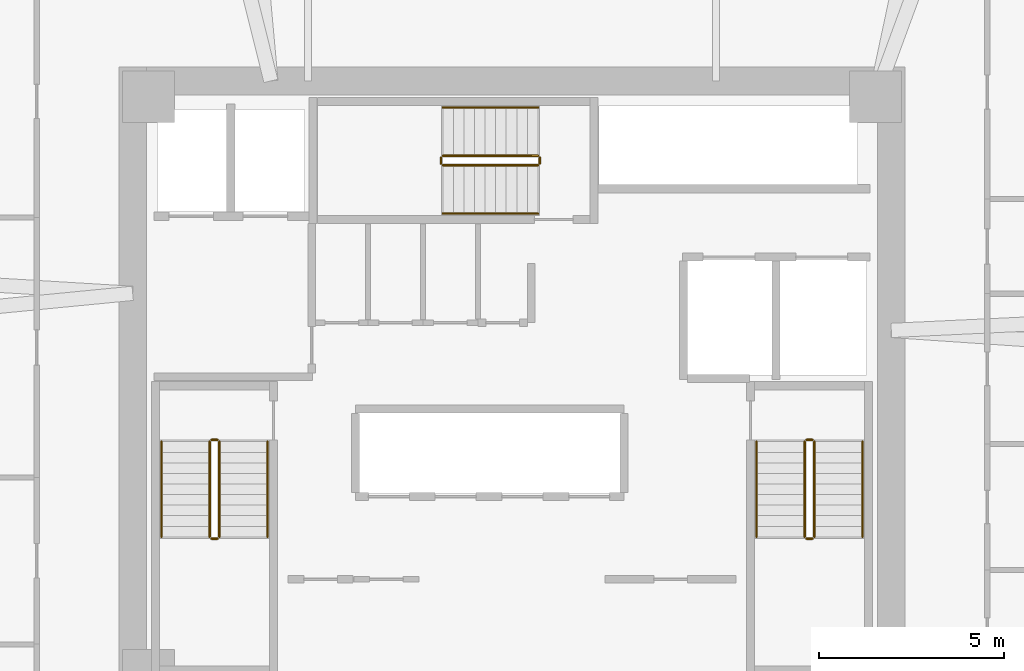
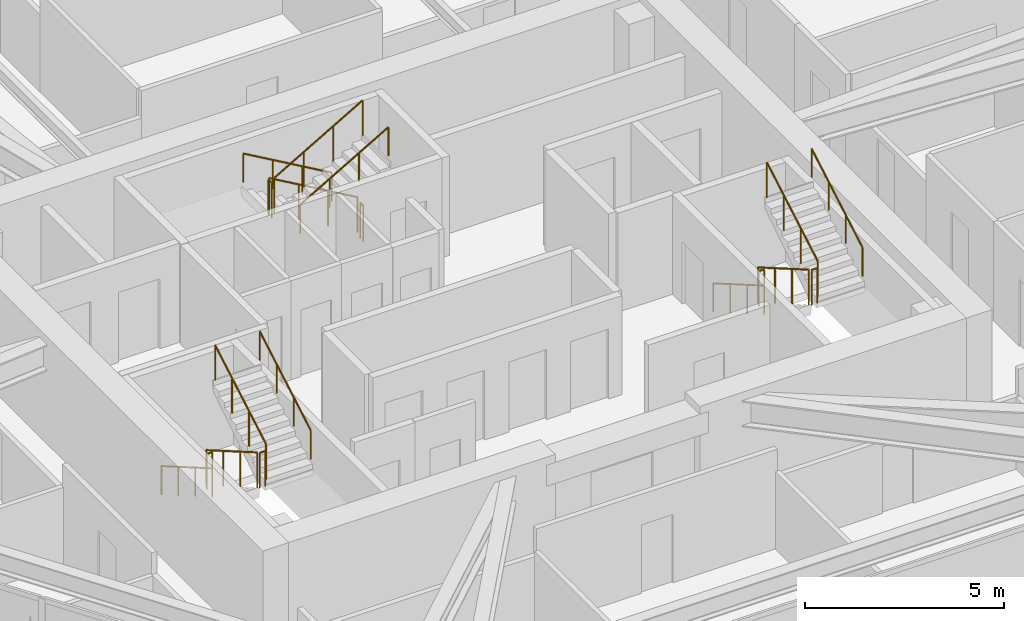
# One storey, part 16 of 16: 18 railings.
"""IFC4 building model written with IfcOpenShell, lengths in metres."""

from ifc_helpers import new_model, si_unit, direction, frame, origin, origin_2d, place, context, subcontext, project, spatial, circle, extrude, material, type_object, element, save


model = new_model("IFC4")

# Units and contexts
model_context = context("Model", 3, precision=1e-05, world=origin(), true_north=direction((0.0, 1.0)))
body_context = subcontext(model_context, "Body", "Model", "MODEL_VIEW")
ifc_project = project(units=[si_unit("LENGTHUNIT", "METRE"), si_unit("AREAUNIT", "SQUARE_METRE"), si_unit("VOLUMEUNIT", "CUBIC_METRE"), si_unit("PLANEANGLEUNIT", "RADIAN"), si_unit("MASSUNIT", "GRAM", prefix="KILO")], contexts=[model_context])

# Site, building, storey
site_placement = place(None, origin())
site = spatial("IfcSite", under=ifc_project, at=site_placement, CompositionType="ELEMENT")
building_placement = place(site_placement, origin())
building = spatial("IfcBuilding", under=site, at=building_placement, Name="Durnholm Broadcast Tower", CompositionType="ELEMENT")
storey_placement = place(building_placement, frame((0.0, 0.0, 110.699951171875)))
storey = spatial("IfcBuildingStorey", under=building, at=storey_placement, Name="L29", CompositionType="ELEMENT", Elevation=110.699951171875)

# Railings
ifc_material_1 = material(Name="Painted Tubular Steel Stair Guardrail", Category="steel")
railing_type_1 = type_object("IfcRailingType", Name="RAIL-ST-GRD", PredefinedType="GUARDRAIL", material=ifc_material_1)
railing_1_placement = place(storey_placement, frame((-8.14990234375, -1.5, 0.1650390625)))
element("IfcRailing", 1, at=railing_1_placement, inside=storey, type_object=railing_type_1, Name="L29 ST-1 stair guard 1", PredefinedType="GUARDRAIL", context=body_context, shape_type="SweptSolid", body=[
    extrude(circle(Radius=0.02392578125, at=origin_2d()), frame((0.0, 0.0, 1.076171875), z_axis=(0.0, -0.865405606168, 0.501071987656), x_axis=(1.0, 0.0, 0.0)), (0.0, 0.0, 1.0), 2.9638671875),
    extrude(circle(Radius=0.02099609375, at=origin_2d()), origin(), (0.0, 0.0, 1.0), 1.052001953125),
    extrude(circle(Radius=0.02099609375, at=origin_2d()), frame((0.0, -0.85498046875, 0.4951171875)), (0.0, 0.0, 1.0), 1.052001953125),
    extrude(circle(Radius=0.02099609375, at=origin_2d()), frame((0.0, -1.7099609375, 0.989990234375)), (0.0, 0.0, 1.0), 1.052001953125),
    extrude(circle(Radius=0.02099609375, at=origin_2d()), frame((0.0, -2.56494140625, 1.485107421875)), (0.0, 0.0, 1.0), 1.052001953125),
])
railing_2_placement = place(storey_placement, frame((-8.10009765625, -4.114990234375, 1.650146484375)))
element("IfcRailing", 2, at=railing_2_placement, inside=storey, type_object=railing_type_1, Name="L29 ST-1 stair guard 2", PredefinedType="GUARDRAIL", context=body_context, shape_type="SweptSolid", body=[
    extrude(circle(Radius=0.02392578125, at=origin_2d()), frame((0.0, 0.0, 1.076171875), z_axis=(1.0, 0.0, 0.0), x_axis=(0.0, 1.0, 0.0)), (0.0, 0.0, 1.0), 0.16015625),
    extrude(circle(Radius=0.02099609375, at=origin_2d()), origin(), (0.0, 0.0, 1.0), 1.052001953125),
    extrude(circle(Radius=0.02099609375, at=origin_2d()), frame((0.16015625, 0.0, 0.0)), (0.0, 0.0, 1.0), 1.052001953125),
])
railing_3_placement = place(storey_placement, frame((-7.889892578125, -4.06494140625, 1.81494140625)))
element("IfcRailing", 3, at=railing_3_placement, inside=storey, type_object=railing_type_1, Name="L29 ST-1 stair guard 3", PredefinedType="GUARDRAIL", context=body_context, shape_type="SweptSolid", body=[
    extrude(circle(Radius=0.02392578125, at=origin_2d()), frame((0.0, 0.0, 1.076171875), z_axis=(0.0, 0.865405606168, 0.501071987656), x_axis=(-1.0, 0.0, 0.0)), (0.0, 0.0, 1.0), 2.9638671875),
    extrude(circle(Radius=0.02099609375, at=origin_2d()), origin(), (0.0, 0.0, 1.0), 1.052001953125),
    extrude(circle(Radius=0.02099609375, at=origin_2d()), frame((0.0, 0.85498046875, 0.4951171875)), (0.0, 0.0, 1.0), 1.052001953125),
    extrude(circle(Radius=0.02099609375, at=origin_2d()), frame((0.0, 1.7099609375, 0.989990234375)), (0.0, 0.0, 1.0), 1.052001953125),
    extrude(circle(Radius=0.02099609375, at=origin_2d()), frame((0.0, 2.56494140625, 1.485107421875)), (0.0, 0.0, 1.0), 1.052001953125),
])
railing_4_placement = place(storey_placement, frame((-8.10009765625, -1.449951171875, 0.0)))
element("IfcRailing", 4, at=railing_4_placement, inside=storey, type_object=railing_type_1, Name="L29 ST-1 stair guard 4", PredefinedType="GUARDRAIL", context=body_context, shape_type="SweptSolid", body=[
    extrude(circle(Radius=0.02392578125, at=origin_2d()), frame((0.0, 0.0, 1.076171875), z_axis=(1.0, 0.0, 0.0), x_axis=(0.0, 1.0, 0.0)), (0.0, 0.0, 1.0), 0.16015625),
    extrude(circle(Radius=0.02099609375, at=origin_2d()), origin(), (0.0, 0.0, 1.0), 1.052001953125),
    extrude(circle(Radius=0.02099609375, at=origin_2d()), frame((0.16015625, 0.0, 0.0)), (0.0, 0.0, 1.0), 1.052001953125),
])
railing_5_placement = place(storey_placement, frame((7.889892578125, -1.5, 0.1650390625)))
element("IfcRailing", 5, at=railing_5_placement, inside=storey, type_object=railing_type_1, Name="L29 ST-2 stair guard 1", PredefinedType="GUARDRAIL", context=body_context, shape_type="SweptSolid", body=[
    extrude(circle(Radius=0.02392578125, at=origin_2d()), frame((0.0, 0.0, 1.076171875), z_axis=(0.0, -0.865405606168, 0.501071987656), x_axis=(1.0, 0.0, 0.0)), (0.0, 0.0, 1.0), 2.9638671875),
    extrude(circle(Radius=0.02099609375, at=origin_2d()), origin(), (0.0, 0.0, 1.0), 1.052001953125),
    extrude(circle(Radius=0.02099609375, at=origin_2d()), frame((0.0, -0.85498046875, 0.4951171875)), (0.0, 0.0, 1.0), 1.052001953125),
    extrude(circle(Radius=0.02099609375, at=origin_2d()), frame((0.0, -1.7099609375, 0.989990234375)), (0.0, 0.0, 1.0), 1.052001953125),
    extrude(circle(Radius=0.02099609375, at=origin_2d()), frame((0.0, -2.56494140625, 1.485107421875)), (0.0, 0.0, 1.0), 1.052001953125),
])
railing_6_placement = place(storey_placement, frame((7.93994140625, -4.114990234375, 1.650146484375)))
element("IfcRailing", 6, at=railing_6_placement, inside=storey, type_object=railing_type_1, Name="L29 ST-2 stair guard 2", PredefinedType="GUARDRAIL", context=body_context, shape_type="SweptSolid", body=[
    extrude(circle(Radius=0.02392578125, at=origin_2d()), frame((0.0, 0.0, 1.076171875), z_axis=(1.0, 0.0, 0.0), x_axis=(0.0, 1.0, 0.0)), (0.0, 0.0, 1.0), 0.16015625),
    extrude(circle(Radius=0.02099609375, at=origin_2d()), origin(), (0.0, 0.0, 1.0), 1.052001953125),
    extrude(circle(Radius=0.02099609375, at=origin_2d()), frame((0.16015625, 0.0, 0.0)), (0.0, 0.0, 1.0), 1.052001953125),
])
railing_7_placement = place(storey_placement, frame((8.14990234375, -4.06494140625, 1.81494140625)))
element("IfcRailing", 7, at=railing_7_placement, inside=storey, type_object=railing_type_1, Name="L29 ST-2 stair guard 3", PredefinedType="GUARDRAIL", context=body_context, shape_type="SweptSolid", body=[
    extrude(circle(Radius=0.02392578125, at=origin_2d()), frame((0.0, 0.0, 1.076171875), z_axis=(0.0, 0.865405606168, 0.501071987656), x_axis=(-1.0, 0.0, 0.0)), (0.0, 0.0, 1.0), 2.9638671875),
    extrude(circle(Radius=0.02099609375, at=origin_2d()), origin(), (0.0, 0.0, 1.0), 1.052001953125),
    extrude(circle(Radius=0.02099609375, at=origin_2d()), frame((0.0, 0.85498046875, 0.4951171875)), (0.0, 0.0, 1.0), 1.052001953125),
    extrude(circle(Radius=0.02099609375, at=origin_2d()), frame((0.0, 1.7099609375, 0.989990234375)), (0.0, 0.0, 1.0), 1.052001953125),
    extrude(circle(Radius=0.02099609375, at=origin_2d()), frame((0.0, 2.56494140625, 1.485107421875)), (0.0, 0.0, 1.0), 1.052001953125),
])
railing_8_placement = place(storey_placement, frame((7.93994140625, -1.449951171875, 0.0)))
element("IfcRailing", 8, at=railing_8_placement, inside=storey, type_object=railing_type_1, Name="L29 ST-2 stair guard 4", PredefinedType="GUARDRAIL", context=body_context, shape_type="SweptSolid", body=[
    extrude(circle(Radius=0.02392578125, at=origin_2d()), frame((0.0, 0.0, 1.076171875), z_axis=(1.0, 0.0, 0.0), x_axis=(0.0, 1.0, 0.0)), (0.0, 0.0, 1.0), 0.16015625),
    extrude(circle(Radius=0.02099609375, at=origin_2d()), origin(), (0.0, 0.0, 1.0), 1.052001953125),
    extrude(circle(Radius=0.02099609375, at=origin_2d()), frame((0.16015625, 0.0, 0.0)), (0.0, 0.0, 1.0), 1.052001953125),
])
railing_9_placement = place(storey_placement, frame((0.699951171875, 6.2099609375, 0.1650390625)))
element("IfcRailing", 9, at=railing_9_placement, inside=storey, type_object=railing_type_1, Name="L29 ST-3 stair guard 1", PredefinedType="GUARDRAIL", context=body_context, shape_type="SweptSolid", body=[
    extrude(circle(Radius=0.02392578125, at=origin_2d()), frame((0.0, 0.0, 1.076171875), z_axis=(-0.865405606168, 0.0, 0.501071987656), x_axis=(0.0, -1.0, 0.0)), (0.0, 0.0, 1.0), 2.9638671875),
    extrude(circle(Radius=0.02099609375, at=origin_2d()), origin(), (0.0, 0.0, 1.0), 1.052001953125),
    extrude(circle(Radius=0.02099609375, at=origin_2d()), frame((-0.85498046875, 0.0, 0.4951171875)), (0.0, 0.0, 1.0), 1.052001953125),
    extrude(circle(Radius=0.02099609375, at=origin_2d()), frame((-1.7099609375, 0.0, 0.989990234375)), (0.0, 0.0, 1.0), 1.052001953125),
    extrude(circle(Radius=0.02099609375, at=origin_2d()), frame((-2.56494140625, 0.0, 1.485107421875)), (0.0, 0.0, 1.0), 1.052001953125),
])
railing_10_placement = place(storey_placement, frame((-1.9150390625, 6.159912109375, 1.650146484375)))
element("IfcRailing", 10, at=railing_10_placement, inside=storey, type_object=railing_type_1, Name="L29 ST-3 stair guard 2", PredefinedType="GUARDRAIL", context=body_context, shape_type="SweptSolid", body=[
    extrude(circle(Radius=0.02392578125, at=origin_2d()), frame((0.0, 0.0, 1.076171875), z_axis=(0.0, -1.0, 0.0), x_axis=(1.0, 0.0, 0.0)), (0.0, 0.0, 1.0), 0.159912109375),
    extrude(circle(Radius=0.02099609375, at=origin_2d()), origin(), (0.0, 0.0, 1.0), 1.052001953125),
    extrude(circle(Radius=0.02099609375, at=origin_2d()), frame((0.0, -0.159912109375, 0.0)), (0.0, 0.0, 1.0), 1.052001953125),
])
railing_11_placement = place(storey_placement, frame((-1.864990234375, 5.949951171875, 1.81494140625)))
element("IfcRailing", 11, at=railing_11_placement, inside=storey, type_object=railing_type_1, Name="L29 ST-3 stair guard 3", PredefinedType="GUARDRAIL", context=body_context, shape_type="SweptSolid", body=[
    extrude(circle(Radius=0.02392578125, at=origin_2d()), frame((0.0, 0.0, 1.076171875), z_axis=(0.865405606168, 0.0, 0.501071987656), x_axis=(0.0, 1.0, 0.0)), (0.0, 0.0, 1.0), 2.9638671875),
    extrude(circle(Radius=0.02099609375, at=origin_2d()), origin(), (0.0, 0.0, 1.0), 1.052001953125),
    extrude(circle(Radius=0.02099609375, at=origin_2d()), frame((0.85498046875, 0.0, 0.4951171875)), (0.0, 0.0, 1.0), 1.052001953125),
    extrude(circle(Radius=0.02099609375, at=origin_2d()), frame((1.7099609375, 0.0, 0.989990234375)), (0.0, 0.0, 1.0), 1.052001953125),
    extrude(circle(Radius=0.02099609375, at=origin_2d()), frame((2.56494140625, 0.0, 1.485107421875)), (0.0, 0.0, 1.0), 1.052001953125),
])
railing_12_placement = place(storey_placement, frame((0.75, 6.159912109375, 0.0)))
element("IfcRailing", 12, at=railing_12_placement, inside=storey, type_object=railing_type_1, Name="L29 ST-3 stair guard 4", PredefinedType="GUARDRAIL", context=body_context, shape_type="SweptSolid", body=[
    extrude(circle(Radius=0.02392578125, at=origin_2d()), frame((0.0, 0.0, 1.076171875), z_axis=(0.0, -1.0, 0.0), x_axis=(1.0, 0.0, 0.0)), (0.0, 0.0, 1.0), 0.159912109375),
    extrude(circle(Radius=0.02099609375, at=origin_2d()), origin(), (0.0, 0.0, 1.0), 1.052001953125),
    extrude(circle(Radius=0.02099609375, at=origin_2d()), frame((0.0, -0.159912109375, 0.0)), (0.0, 0.0, 1.0), 1.052001953125),
])
ifc_material_2 = material(Name="Brushed Stainless Steel Handrail", Category="steel")
railing_type_2 = type_object("IfcRailingType", Name="RAIL-ST-HND", PredefinedType="HANDRAIL", material=ifc_material_2)
railing_13_placement = place(storey_placement, frame((-9.449951171875, -1.5, 0.330078125)))
element("IfcRailing", 13, at=railing_13_placement, inside=storey, type_object=railing_type_2, Name="L29 ST-1 stair handrail 1", PredefinedType="HANDRAIL", context=body_context, shape_type="SweptSolid", body=[
    extrude(circle(Radius=0.02392578125, at=origin_2d()), frame((0.0, 0.0, 0.8759765625), z_axis=(0.0, -0.865441324677, 0.50101029285), x_axis=(1.0, 0.0, 0.0)), (0.0, 0.0, 1.0), 2.963623046875),
    extrude(circle(Radius=0.02099609375, at=origin_2d()), origin(), (0.0, 0.0, 1.0), 0.851806640625),
    extrude(circle(Radius=0.02099609375, at=origin_2d()), frame((0.0, -0.85498046875, 0.494873046875)), (0.0, 0.0, 1.0), 0.851806640625),
    extrude(circle(Radius=0.02099609375, at=origin_2d()), frame((0.0, -1.7099609375, 0.989990234375)), (0.0, 0.0, 1.0), 0.851806640625),
    extrude(circle(Radius=0.02099609375, at=origin_2d()), frame((0.0, -2.56494140625, 1.48486328125)), (0.0, 0.0, 1.0), 0.851806640625),
])
railing_14_placement = place(storey_placement, frame((-6.590087890625, -4.06494140625, 1.97998046875)))
element("IfcRailing", 14, at=railing_14_placement, inside=storey, type_object=railing_type_2, Name="L29 ST-1 stair handrail 2", PredefinedType="HANDRAIL", context=body_context, shape_type="SweptSolid", body=[
    extrude(circle(Radius=0.02392578125, at=origin_2d()), frame((0.0, 0.0, 0.8759765625), z_axis=(0.0, 0.865405606168, 0.501071987656), x_axis=(-1.0, 0.0, 0.0)), (0.0, 0.0, 1.0), 2.9638671875),
    extrude(circle(Radius=0.02099609375, at=origin_2d()), origin(), (0.0, 0.0, 1.0), 0.851806640625),
    extrude(circle(Radius=0.02099609375, at=origin_2d()), frame((0.0, 0.85498046875, 0.4951171875)), (0.0, 0.0, 1.0), 0.851806640625),
    extrude(circle(Radius=0.02099609375, at=origin_2d()), frame((0.0, 1.7099609375, 0.989990234375)), (0.0, 0.0, 1.0), 0.851806640625),
    extrude(circle(Radius=0.02099609375, at=origin_2d()), frame((0.0, 2.56494140625, 1.485107421875)), (0.0, 0.0, 1.0), 0.851806640625),
])
railing_15_placement = place(storey_placement, frame((6.590087890625, -1.5, 0.330078125)))
element("IfcRailing", 15, at=railing_15_placement, inside=storey, type_object=railing_type_2, Name="L29 ST-2 stair handrail 1", PredefinedType="HANDRAIL", context=body_context, shape_type="SweptSolid", body=[
    extrude(circle(Radius=0.02392578125, at=origin_2d()), frame((0.0, 0.0, 0.8759765625), z_axis=(0.0, -0.865441324677, 0.50101029285), x_axis=(1.0, 0.0, 0.0)), (0.0, 0.0, 1.0), 2.963623046875),
    extrude(circle(Radius=0.02099609375, at=origin_2d()), origin(), (0.0, 0.0, 1.0), 0.851806640625),
    extrude(circle(Radius=0.02099609375, at=origin_2d()), frame((0.0, -0.85498046875, 0.494873046875)), (0.0, 0.0, 1.0), 0.851806640625),
    extrude(circle(Radius=0.02099609375, at=origin_2d()), frame((0.0, -1.7099609375, 0.989990234375)), (0.0, 0.0, 1.0), 0.851806640625),
    extrude(circle(Radius=0.02099609375, at=origin_2d()), frame((0.0, -2.56494140625, 1.48486328125)), (0.0, 0.0, 1.0), 0.851806640625),
])
railing_16_placement = place(storey_placement, frame((9.449951171875, -4.06494140625, 1.97998046875)))
element("IfcRailing", 16, at=railing_16_placement, inside=storey, type_object=railing_type_2, Name="L29 ST-2 stair handrail 2", PredefinedType="HANDRAIL", context=body_context, shape_type="SweptSolid", body=[
    extrude(circle(Radius=0.02392578125, at=origin_2d()), frame((0.0, 0.0, 0.8759765625), z_axis=(0.0, 0.865405606168, 0.501071987656), x_axis=(-1.0, 0.0, 0.0)), (0.0, 0.0, 1.0), 2.9638671875),
    extrude(circle(Radius=0.02099609375, at=origin_2d()), origin(), (0.0, 0.0, 1.0), 0.851806640625),
    extrude(circle(Radius=0.02099609375, at=origin_2d()), frame((0.0, 0.85498046875, 0.4951171875)), (0.0, 0.0, 1.0), 0.851806640625),
    extrude(circle(Radius=0.02099609375, at=origin_2d()), frame((0.0, 1.7099609375, 0.989990234375)), (0.0, 0.0, 1.0), 0.851806640625),
    extrude(circle(Radius=0.02099609375, at=origin_2d()), frame((0.0, 2.56494140625, 1.485107421875)), (0.0, 0.0, 1.0), 0.851806640625),
])
railing_17_placement = place(storey_placement, frame((0.699951171875, 7.510009765625, 0.330078125)))
element("IfcRailing", 17, at=railing_17_placement, inside=storey, type_object=railing_type_2, Name="L29 ST-3 stair handrail 1", PredefinedType="HANDRAIL", context=body_context, shape_type="SweptSolid", body=[
    extrude(circle(Radius=0.02392578125, at=origin_2d()), frame((0.0, 0.0, 0.8759765625), z_axis=(-0.865441324677, 0.0, 0.50101029285), x_axis=(0.0, -1.0, 0.0)), (0.0, 0.0, 1.0), 2.963623046875),
    extrude(circle(Radius=0.02099609375, at=origin_2d()), origin(), (0.0, 0.0, 1.0), 0.851806640625),
    extrude(circle(Radius=0.02099609375, at=origin_2d()), frame((-0.85498046875, 0.0, 0.494873046875)), (0.0, 0.0, 1.0), 0.851806640625),
    extrude(circle(Radius=0.02099609375, at=origin_2d()), frame((-1.7099609375, 0.0, 0.989990234375)), (0.0, 0.0, 1.0), 0.851806640625),
    extrude(circle(Radius=0.02099609375, at=origin_2d()), frame((-2.56494140625, 0.0, 1.48486328125)), (0.0, 0.0, 1.0), 0.851806640625),
])
railing_18_placement = place(storey_placement, frame((-1.864990234375, 4.64990234375, 1.97998046875)))
element("IfcRailing", 18, at=railing_18_placement, inside=storey, type_object=railing_type_2, Name="L29 ST-3 stair handrail 2", PredefinedType="HANDRAIL", context=body_context, shape_type="SweptSolid", body=[
    extrude(circle(Radius=0.02392578125, at=origin_2d()), frame((0.0, 0.0, 0.8759765625), z_axis=(0.865405606168, 0.0, 0.501071987656), x_axis=(0.0, 1.0, 0.0)), (0.0, 0.0, 1.0), 2.9638671875),
    extrude(circle(Radius=0.02099609375, at=origin_2d()), origin(), (0.0, 0.0, 1.0), 0.851806640625),
    extrude(circle(Radius=0.02099609375, at=origin_2d()), frame((0.85498046875, 0.0, 0.4951171875)), (0.0, 0.0, 1.0), 0.851806640625),
    extrude(circle(Radius=0.02099609375, at=origin_2d()), frame((1.7099609375, 0.0, 0.989990234375)), (0.0, 0.0, 1.0), 0.851806640625),
    extrude(circle(Radius=0.02099609375, at=origin_2d()), frame((2.56494140625, 0.0, 1.485107421875)), (0.0, 0.0, 1.0), 0.851806640625),
])

save(model, "model.ifc")
